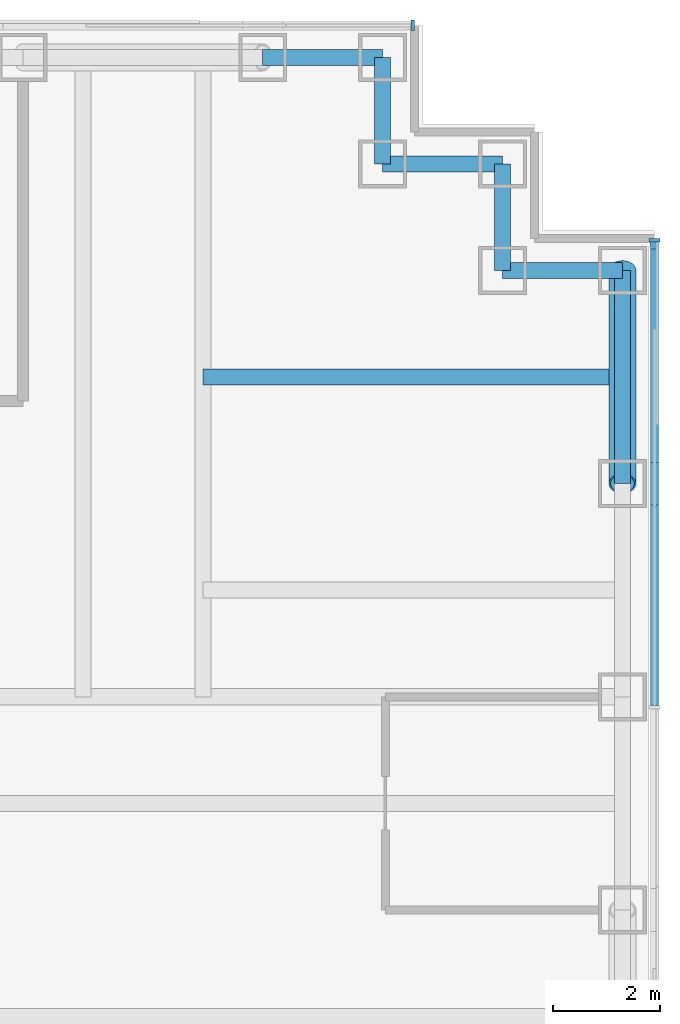
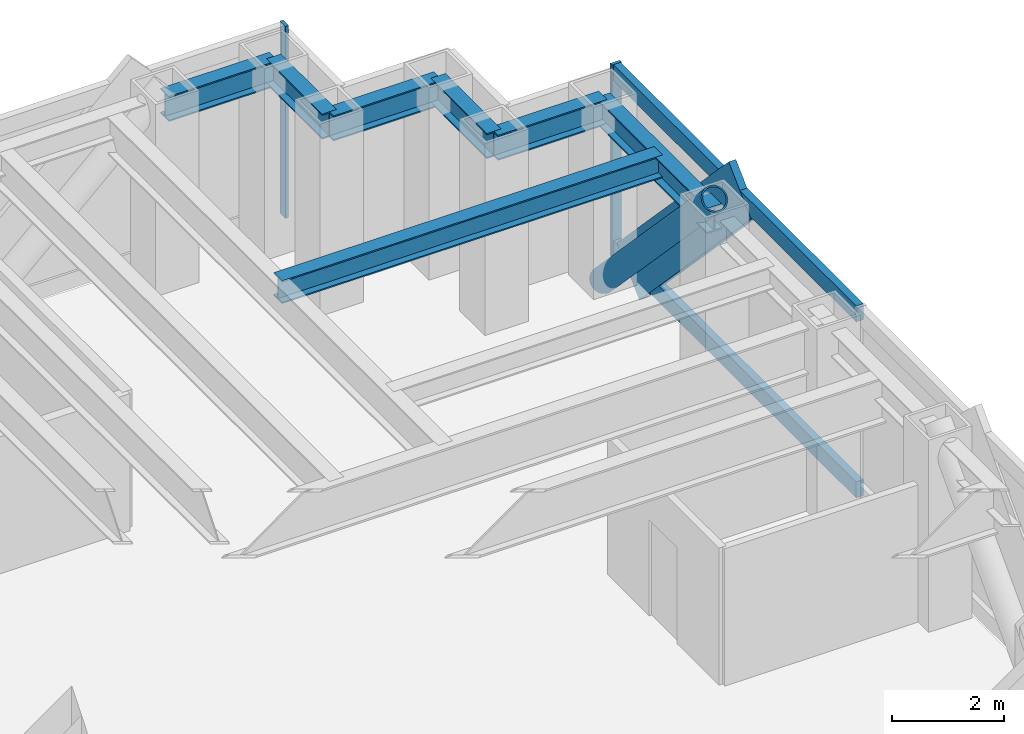
# One storey, part 9 of 15: 7 beams, 6 members, 2 elements without a shape of their own.
"""IFC4 building model written with IfcOpenShell, lengths in metres."""

from ifc_helpers import new_model, si_unit, direction, frame, origin, origin_2d, place, context, subcontext, project, spatial, rectangle, hollow_circle, i_section, extrude, material, material_profile, profile_set, type_object, element, aggregate, save


model = new_model("IFC4")

# Units and contexts
model_context = context("Model", 3, precision=1e-05, world=origin(), true_north=direction((0.0, 1.0)))
body_context = subcontext(model_context, "Body", "Model", "MODEL_VIEW")
ifc_project = project(units=[si_unit("LENGTHUNIT", "METRE"), si_unit("AREAUNIT", "SQUARE_METRE"), si_unit("VOLUMEUNIT", "CUBIC_METRE"), si_unit("PLANEANGLEUNIT", "RADIAN"), si_unit("MASSUNIT", "GRAM", prefix="KILO")], contexts=[model_context])

# Site, building, storey
site_placement = place(None, origin())
site = spatial("IfcSite", under=ifc_project, at=site_placement, CompositionType="ELEMENT")
building_placement = place(site_placement, origin())
building = spatial("IfcBuilding", under=site, at=building_placement, Name="Rheinbord Bourse Tower", CompositionType="ELEMENT")
storey_placement = place(building_placement, frame((0.0, 0.0, 296.300048828125)))
storey = spatial("IfcBuildingStorey", under=building, at=storey_placement, Name="L67", CompositionType="ELEMENT", Elevation=296.300048828125)

# Curtain wall, members
ifc_material_1 = material(Name="Dark glass and black aluminium", Category="aluminium")
curtain_wall_type = type_object("IfcCurtainWallType", Name="CW3 DARK GLASS CURTAIN WALL", PredefinedType="USERDEFINED", material=ifc_material_1)
curtain_wall_1_placement = place(storey_placement, origin())
curtain_wall_1 = element("IfcCurtainWall", 1, at=curtain_wall_1_placement, inside=storey, type_object=curtain_wall_type, Name="Curtain wall CW3 E L67", ObjectType="UNITISED CURTAIN WALL", PredefinedType="USERDEFINED")
ifc_material_2 = material(Name="Black anodised aluminium", Category="aluminium")
ifc_material_profile_1 = material_profile(ifc_material_2, rectangle(XDim=0.14990234375, YDim=1.10791015625, at=origin_2d()), Name="CW3 DIAGONAL MULLION 1108x150")
ifc_profile_set_1 = profile_set([ifc_material_profile_1], Name="Black anodised aluminium")
member_type_1 = type_object("IfcMemberType", Name="CW3 BLACK DIAGONAL MULLION", PredefinedType="USERDEFINED", material=ifc_profile_set_1)
member_1_placement = place(storey_placement, frame((70.35009765625, 40.0, 0.0), z_axis=(0.0, -0.689659376744, 0.724133926887), x_axis=(1.0, 0.0, 0.0)))
member_1 = element("IfcMember", 2, at=member_1_placement, type_object=member_type_1, Name="CW3 diagonal mullion d", ObjectType="DIAGONAL MULLION", PredefinedType="USERDEFINED", context=body_context, shape_type="SweptSolid", body=[
    extrude(rectangle(XDim=0.14990234375, YDim=1.10791015625, at=origin_2d()), origin(), (0.0, 0.0, 1.0), 5.800048828125),
])
ifc_material_3 = material(Name="Black anodised aluminium", Category="aluminium")
ifc_material_profile_2 = material_profile(ifc_material_3, rectangle(XDim=0.199951171875, YDim=0.06494140625, at=origin_2d()), Name="CW3 MULLION 65x200")
ifc_profile_set_2 = profile_set([ifc_material_profile_2], Name="Black anodised aluminium")
member_type_2 = type_object("IfcMemberType", Name="CW3 BLACK MULLION", PredefinedType="MULLION", material=ifc_profile_set_2)
member_2_placement = place(storey_placement, frame((70.35009765625, 40.5673828125, 0.0), z_axis=(0.0, 0.0, 1.0), x_axis=(-1.0, 0.0, 0.0)))
member_2 = element("IfcMember", 3, at=member_2_placement, type_object=member_type_2, Name="CW3 mullion 5", PredefinedType="MULLION", context=body_context, shape_type="SweptSolid", body=[
    extrude(rectangle(XDim=0.199951171875, YDim=0.06494140625, at=origin_2d()), origin(), (0.0, 0.0, 1.0), 4.199951171875),
])

# Curtain wall, member
curtain_wall_2_placement = place(storey_placement, origin())
curtain_wall_2 = element("IfcCurtainWall", 4, at=curtain_wall_2_placement, inside=storey, type_object=curtain_wall_type, Name="Curtain wall CW3 N L67", ObjectType="UNITISED CURTAIN WALL", PredefinedType="USERDEFINED")
member_3_placement = place(storey_placement, frame((65.8173828125, 44.60009765625, 0.0), z_axis=(0.0, 0.0, 1.0), x_axis=(0.0, -1.0, 0.0)))
member_3 = element("IfcMember", 5, at=member_3_placement, type_object=member_type_2, Name="CW3 mullion 1", PredefinedType="MULLION", context=body_context, shape_type="SweptSolid", body=[
    extrude(rectangle(XDim=0.199951171875, YDim=0.06494140625, at=origin_2d()), origin(), (0.0, 0.0, 1.0), 4.199951171875),
])
aggregate(curtain_wall_2, [member_3])

# Member
ifc_material_4 = material(Name="Black anodised aluminium", Category="aluminium")
ifc_material_profile_3 = material_profile(ifc_material_4, rectangle(XDim=0.14990234375, YDim=0.35009765625, at=origin_2d()), Name="CW3 TRANSOM 350x150")
ifc_profile_set_3 = profile_set([ifc_material_profile_3], Name="Black anodised aluminium")
member_type_3 = type_object("IfcMemberType", Name="CW3 BLACK TRANSOM", PredefinedType="USERDEFINED", material=ifc_profile_set_3)
member_4_placement = place(storey_placement, frame((70.35009765625, 31.83251953125, 0.175048828125), z_axis=(0.0, 1.0, 0.0), x_axis=(-1.0, 0.0, 0.0)))
member_4 = element("IfcMember", 6, at=member_4_placement, type_object=member_type_3, Name="CW3 transom 4.1", ObjectType="TRANSOM", PredefinedType="USERDEFINED", context=body_context, shape_type="SweptSolid", body=[
    extrude(rectangle(XDim=0.14990234375, YDim=0.35009765625, at=origin_2d()), origin(), (0.0, 0.0, 1.0), 8.702392578125),
])

member_5_placement = place(storey_placement, frame((70.35009765625, 31.83251953125, 4.02490234375), z_axis=(0.0, 1.0, 0.0), x_axis=(-1.0, 0.0, 0.0)))
member_5 = element("IfcMember", 7, at=member_5_placement, type_object=member_type_3, Name="CW3 transom 4.2", ObjectType="TRANSOM", PredefinedType="USERDEFINED", context=body_context, shape_type="SweptSolid", body=[
    extrude(rectangle(XDim=0.14990234375, YDim=0.35009765625, at=origin_2d()), origin(), (0.0, 0.0, 1.0), 8.702392578125),
])

aggregate(curtain_wall_1, [member_2, member_4, member_5, member_1])

ifc_material_5 = material(Name="Steel S460", Category="steel")
ifc_material_profile_4 = material_profile(ifc_material_5, hollow_circle(Radius=0.25390625, WallThickness=0.030029296875, at=origin_2d()), Name="CHS 508x30")
ifc_profile_set_4 = profile_set([ifc_material_profile_4], Name="Steel S460")
member_type_4 = type_object("IfcMemberType", Name="MEGABRACE CHS 508x30", PredefinedType="BRACE", material=ifc_profile_set_4)
member_6_placement = place(storey_placement, frame((69.75, 40.0, 0.0), z_axis=(0.0, -0.689659376744, 0.724133926887), x_axis=(1.0, 0.0, 0.0)))
element("IfcMember", 8, at=member_6_placement, inside=storey, type_object=member_type_4, Name="Megabrace E face line d L67", PredefinedType="BRACE", context=body_context, shape_type="SweptSolid", body=[
    extrude(hollow_circle(Radius=0.25390625, WallThickness=0.030029296875, at=origin_2d()), origin(), (0.0, 0.0, 1.0), 5.800048828125),
])

# Beams
ifc_material_6 = material(Name="Steel S460", Category="steel")
ifc_material_profile_5 = material_profile(ifc_material_6, i_section(OverallWidth=0.300048828125, OverallDepth=0.550048828125, WebThickness=0.014892578125, FlangeThickness=0.029052734375, at=origin_2d()), Name="HEB 550")
ifc_profile_set_5 = profile_set([ifc_material_profile_5], Name="Steel S460")
beam_type_1 = type_object("IfcBeamType", Name="SPANDREL HEB 550", PredefinedType="SPANDREL", material=ifc_profile_set_5)
beam_1_placement = place(storey_placement, frame((69.75, 36.0, 3.764892578125), z_axis=(0.0, 1.0, 0.0), x_axis=(-1.0, 0.0, 0.0)))
element("IfcBeam", 9, at=beam_1_placement, inside=storey, type_object=beam_type_1, Name="Spandrel E-36-NE-A under L68", PredefinedType="SPANDREL", context=body_context, shape_type="SweptSolid", body=[
    extrude(i_section(OverallWidth=0.300048828125, OverallDepth=0.550048828125, WebThickness=0.014892578125, FlangeThickness=0.029052734375, at=origin_2d()), origin(), (0.0, 0.0, 1.0), 4.0),
])
beam_2_placement = place(storey_placement, frame((69.75, 40.0, 3.764892578125), z_axis=(-1.0, 0.0, 0.0), x_axis=(0.0, -1.0, 0.0)))
element("IfcBeam", 10, at=beam_2_placement, inside=storey, type_object=beam_type_1, Name="Spandrel NE-A-NE-B under L68", PredefinedType="SPANDREL", context=body_context, shape_type="SweptSolid", body=[
    extrude(i_section(OverallWidth=0.300048828125, OverallDepth=0.550048828125, WebThickness=0.014892578125, FlangeThickness=0.029052734375, at=origin_2d()), origin(), (0.0, 0.0, 1.0), 2.25),
])
beam_3_placement = place(storey_placement, frame((67.5, 40.0, 3.764892578125), z_axis=(0.0, 1.0, 0.0), x_axis=(-1.0, 0.0, 0.0)))
element("IfcBeam", 11, at=beam_3_placement, inside=storey, type_object=beam_type_1, Name="Spandrel NE-B-NE-C under L68", PredefinedType="SPANDREL", context=body_context, shape_type="SweptSolid", body=[
    extrude(i_section(OverallWidth=0.300048828125, OverallDepth=0.550048828125, WebThickness=0.014892578125, FlangeThickness=0.029052734375, at=origin_2d()), origin(), (0.0, 0.0, 1.0), 2.0),
])
beam_4_placement = place(storey_placement, frame((67.5, 42.0, 3.764892578125), z_axis=(-1.0, 0.0, 0.0), x_axis=(0.0, -1.0, 0.0)))
element("IfcBeam", 12, at=beam_4_placement, inside=storey, type_object=beam_type_1, Name="Spandrel NE-C-NE-D under L68", PredefinedType="SPANDREL", context=body_context, shape_type="SweptSolid", body=[
    extrude(i_section(OverallWidth=0.300048828125, OverallDepth=0.550048828125, WebThickness=0.014892578125, FlangeThickness=0.029052734375, at=origin_2d()), origin(), (0.0, 0.0, 1.0), 2.25),
])
beam_5_placement = place(storey_placement, frame((65.25, 42.0, 3.764892578125), z_axis=(0.0, 1.0, 0.0), x_axis=(-1.0, 0.0, 0.0)))
element("IfcBeam", 13, at=beam_5_placement, inside=storey, type_object=beam_type_1, Name="Spandrel NE-D-NE-E under L68", PredefinedType="SPANDREL", context=body_context, shape_type="SweptSolid", body=[
    extrude(i_section(OverallWidth=0.300048828125, OverallDepth=0.550048828125, WebThickness=0.014892578125, FlangeThickness=0.029052734375, at=origin_2d()), origin(), (0.0, 0.0, 1.0), 2.0),
])
beam_6_placement = place(storey_placement, frame((65.25, 44.0, 3.764892578125), z_axis=(-1.0, 0.0, 0.0), x_axis=(0.0, -1.0, 0.0)))
element("IfcBeam", 14, at=beam_6_placement, inside=storey, type_object=beam_type_1, Name="Spandrel NE-E-N-63 under L68", PredefinedType="SPANDREL", context=body_context, shape_type="SweptSolid", body=[
    extrude(i_section(OverallWidth=0.300048828125, OverallDepth=0.550048828125, WebThickness=0.014892578125, FlangeThickness=0.029052734375, at=origin_2d()), origin(), (0.0, 0.0, 1.0), 2.25),
])
ifc_material_7 = material(Name="Steel S460", Category="steel")
ifc_material_profile_6 = material_profile(ifc_material_7, i_section(OverallWidth=0.300048828125, OverallDepth=0.5, WebThickness=0.014404296875, FlangeThickness=0.028076171875, at=origin_2d()), Name="HEB 500")
ifc_profile_set_6 = profile_set([ifc_material_profile_6], Name="Steel S460")
beam_type_2 = type_object("IfcBeamType", Name="TIE BEAM HEB 500", PredefinedType="JOIST", material=ifc_profile_set_6)
beam_7_placement = place(storey_placement, frame((61.875, 38.0, 3.7900390625), z_axis=(1.0, 0.0, 0.0), x_axis=(0.0, 1.0, 0.0)))
element("IfcBeam", 15, at=beam_7_placement, inside=storey, type_object=beam_type_2, Name="Tie east 38 L68", PredefinedType="JOIST", context=body_context, shape_type="SweptSolid", body=[
    extrude(i_section(OverallWidth=0.300048828125, OverallDepth=0.5, WebThickness=0.014404296875, FlangeThickness=0.028076171875, at=origin_2d()), origin(), (0.0, 0.0, 1.0), 7.875),
])

save(model, "model.ifc")
